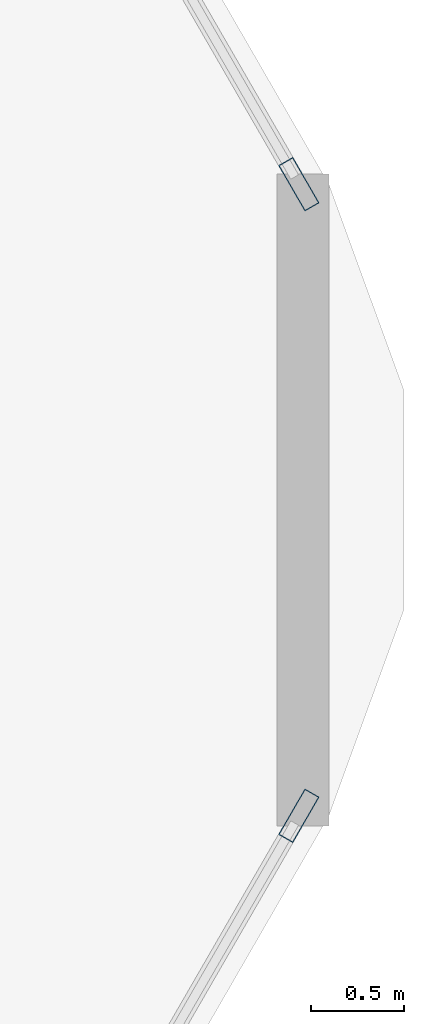
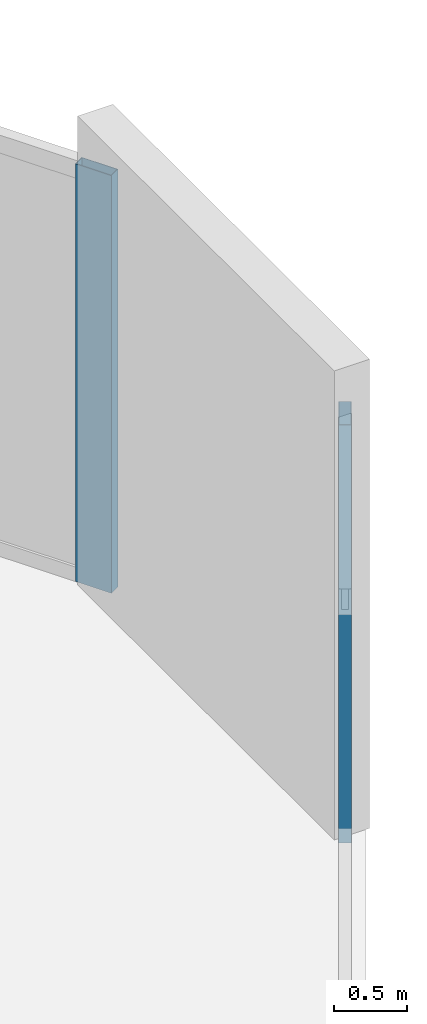
# One storey, part 20 of 25: 2 members, 2 elements without a shape of their own.
"""IFC4 building model written with IfcOpenShell, lengths in metres."""

import ifcopenshell
import ifcopenshell.guid

model = None  # the IFC model being written
_history = None  # IfcOwnerHistory: only IFC2X3 demands one
_inside = {}  # id of a spatial element -> (the spatial element, [elements in it])
_under = {}  # id of a project, library or spatial element -> (it, [spatial elements below it])
_declared = {}  # id of a project -> (the project, [libraries it declares])
_typed = {}  # id of a type object -> (the type object, [elements of that type])
_made_of = {}  # id of a material, layer set ... -> (it, [elements and type objects made of it])


def new_model(schema):
    """Start an empty IFC model of exactly this schema.

    Asked for "IFC4X3", IfcOpenShell would pick the latest addendum, in which some entities
    have other attributes; the version numbers below select the first issue.
    IFC2X3 requires an IfcOwnerHistory on every rooted entity: one is made here for all.
    """
    global model, _history
    if schema == "IFC4X3":
        model = ifcopenshell.file(schema_version=(4, 3, 0, 0))
    else:
        model = ifcopenshell.file(schema=schema)
    _inside.clear()
    _under.clear()
    _declared.clear()
    _typed.clear()
    _made_of.clear()
    _history = None
    if model.schema == "IFC2X3":
        org = make("IfcOrganization", Name="unknown")
        user = make(
            "IfcPersonAndOrganization",
            ThePerson=make("IfcPerson", FamilyName="unknown"),
            TheOrganization=org,
        )
        app = make(
            "IfcApplication",
            ApplicationDeveloper=org,
            Version="unknown",
            ApplicationFullName="unknown",
            ApplicationIdentifier="unknown",
        )
        _history = make(
            "IfcOwnerHistory",
            OwningUser=user,
            OwningApplication=app,
            ChangeAction="ADDED",
            CreationDate=0,
        )
    return model


def make(cls, **values):
    """One entity of the class cls with the attributes given. An attribute that is None is left unset."""
    return model.create_entity(
        cls, **{name: value for name, value in values.items() if value is not None}
    )


def rooted(cls, **values):
    """An entity with a GlobalId (a new one), such as an element, a storey or a relation."""
    return make(cls, GlobalId=ifcopenshell.guid.new(), OwnerHistory=_history, **values)


def si_unit(unit_type, name, prefix=None):
    """IfcSIUnit, for example si_unit("LENGTHUNIT", "METRE", prefix="MILLI")."""
    return make("IfcSIUnit", UnitType=unit_type, Prefix=prefix, Name=name)


def assignment(units):
    """IfcUnitAssignment: the units of a project."""
    return None if units is None else make("IfcUnitAssignment", Units=units)


def point(xyz):
    """IfcCartesianPoint."""
    return None if xyz is None else make("IfcCartesianPoint", Coordinates=xyz)


def direction(xyz):
    """IfcDirection."""
    return None if xyz is None else make("IfcDirection", DirectionRatios=xyz)


def frame(location, z_axis=None, x_axis=None):
    """IfcAxis2Placement3D, a coordinate frame: its origin and axes. An axis left out is left unset."""
    return make(
        "IfcAxis2Placement3D",
        Location=point(location),
        Axis=direction(z_axis),
        RefDirection=direction(x_axis),
    )


def frame_2d(location, x_axis=None):
    """IfcAxis2Placement2D, a coordinate frame in the plane: its origin and x axis."""
    return make(
        "IfcAxis2Placement2D", Location=point(location), RefDirection=direction(x_axis)
    )


def origin():
    """The frame at (0, 0, 0) with its axes left unset."""
    return frame((0.0, 0.0, 0.0))


def origin_2d():
    """The frame at (0, 0) in the plane with its x axis left unset."""
    return frame_2d((0.0, 0.0))


def place(relative_to, where):
    """IfcLocalPlacement: puts the frame where relative to a parent placement (None: the world)."""
    return make(
        "IfcLocalPlacement", PlacementRelTo=relative_to, RelativePlacement=where
    )


def context(
    kind, dimensions, precision=None, world=None, true_north=None, identifier=None
):
    """IfcGeometricRepresentationContext, for example the 3D "Model" context."""
    return make(
        "IfcGeometricRepresentationContext",
        ContextIdentifier=identifier,
        ContextType=kind,
        CoordinateSpaceDimension=dimensions,
        Precision=precision,
        WorldCoordinateSystem=world,
        TrueNorth=true_north,
    )


def subcontext(parent, identifier, kind, view, scale=None):
    """IfcGeometricRepresentationSubContext, for example "Body" below "Model"."""
    return make(
        "IfcGeometricRepresentationSubContext",
        ContextIdentifier=identifier,
        ContextType=kind,
        ParentContext=parent,
        TargetScale=scale,
        TargetView=view,
    )


def project(units=None, contexts=None):
    """IfcProject with its units and contexts."""
    return rooted(
        "IfcProject",
        Name="project",
        RepresentationContexts=contexts,
        UnitsInContext=assignment(units),
    )


def spatial(cls, under=None, at=None, **own):
    """A site, building, storey or space (cls), placed at a placement, below another one or the project."""
    s = rooted(cls, ObjectPlacement=at, **own)
    if under is not None:
        _under.setdefault(under.id(), (under, []))[1].append(s)
    return s


def profile(cls, at=None, kind="AREA", **sizes):
    """A parametric profile (cls). Its sizes go by their IFC names, for example OverallWidth=200.0."""
    return make(cls, ProfileType=kind, Position=at, **sizes)


def hollow_rectangle(**sizes):
    """IfcRectangleHollowProfileDef."""
    return profile("IfcRectangleHollowProfileDef", **sizes)


def extrude(swept, where, along, depth):
    """IfcExtrudedAreaSolid: the profile swept, set in the frame where, extruded along a direction by depth."""
    return make(
        "IfcExtrudedAreaSolid",
        SweptArea=swept,
        Position=where,
        ExtrudedDirection=direction(along),
        Depth=depth,
    )


def shape(context_of_items, identifier, shape_type, items):
    """IfcShapeRepresentation: the items that make up one representation, for example the "Body"."""
    return make(
        "IfcShapeRepresentation",
        ContextOfItems=context_of_items,
        RepresentationIdentifier=identifier,
        RepresentationType=shape_type,
        Items=items,
    )


def material(Name=None, Category=None):
    """IfcMaterial."""
    return make("IfcMaterial", Name=Name, Category=Category)


def material_profile(
    of_material, cross_section, Name=None, Category=None, Priority=None
):
    """IfcMaterialProfile: a cross section and its material."""
    return make(
        "IfcMaterialProfile",
        Name=Name,
        Material=of_material,
        Profile=cross_section,
        Priority=Priority,
        Category=Category,
    )


def profile_set(profiles, Name=None, composite=None):
    """IfcMaterialProfileSet."""
    return make(
        "IfcMaterialProfileSet",
        Name=Name,
        MaterialProfiles=profiles,
        CompositeProfile=composite,
    )


def made_of(thing, what):
    """Note that an element or type object is made of a material, layer set ...; save() writes the relation."""
    if what is not None:
        _made_of.setdefault(what.id(), (what, []))[1].append(thing)
    return thing


def type_object(cls, material=None, **own):
    """A type object (cls), such as IfcWallType, which elements share."""
    return made_of(rooted(cls, **own), material)


def element(
    cls,
    number,
    at=None,
    inside=None,
    cuts=None,
    type_object=None,
    material=None,
    context=None,
    identifier="Body",
    shape_type=None,
    held_by="IfcProductDefinitionShape",
    body=None,
    shapes=None,
    **own,
):
    """One element of the class cls, such as IfcWall. Its Tag is "e" and its number.

    at: its placement. inside: the storey or other place that contains it. cuts: it is an
    opening in that element (IfcRelVoidsElement). A single representation is given by context,
    identifier, shape_type and body (its items); several are given by shapes. held_by: the class
    of the entity that holds the representations. save() writes the other relations.
    """
    e = rooted(cls, Tag="e%d" % number, ObjectPlacement=at, **own)
    if body is not None:
        shapes = [shape(context, identifier, shape_type, body)]
    if shapes is not None:
        e.Representation = make(held_by, Representations=shapes)
    if inside is not None:
        _inside.setdefault(inside.id(), (inside, []))[1].append(e)
    if cuts is not None:
        rooted(
            "IfcRelVoidsElement", RelatingBuildingElement=cuts, RelatedOpeningElement=e
        )
    if type_object is not None:
        _typed.setdefault(type_object.id(), (type_object, []))[1].append(e)
    return made_of(e, material)


def aggregate(whole, parts):
    """IfcRelAggregates: a whole, such as a stair, and the parts it consists of."""
    return rooted("IfcRelAggregates", RelatingObject=whole, RelatedObjects=parts)


def save(model, path):
    """Write the relations noted so far, then the file.

    IfcRelAggregates (storeys below a building ...), IfcRelContainedInSpatialStructure (elements
    in a storey), IfcRelDefinesByType, IfcRelAssociatesMaterial and IfcRelDeclares: one each for
    every whole, place, type object, material and project.
    """
    for whole, parts in _under.values():
        aggregate(whole, parts)
    for where, things in _inside.values():
        rooted(
            "IfcRelContainedInSpatialStructure",
            RelatedElements=things,
            RelatingStructure=where,
        )
    for kind, things in _typed.values():
        rooted("IfcRelDefinesByType", RelatedObjects=things, RelatingType=kind)
    for what, things in _made_of.values():
        rooted("IfcRelAssociatesMaterial", RelatedObjects=things, RelatingMaterial=what)
    for by, libraries in _declared.values():
        rooted("IfcRelDeclares", RelatingContext=by, RelatedDefinitions=libraries)
    model.write(path)


model = new_model("IFC4")

# Units and contexts
model_context = context("Model", 3, precision=1e-05, world=origin(), true_north=direction((0.0, 1.0)))
body_context = subcontext(model_context, "Body", "Model", "MODEL_VIEW")
ifc_project = project(units=[si_unit("LENGTHUNIT", "METRE"), si_unit("AREAUNIT", "SQUARE_METRE"), si_unit("VOLUMEUNIT", "CUBIC_METRE"), si_unit("PLANEANGLEUNIT", "RADIAN"), si_unit("MASSUNIT", "GRAM", prefix="KILO")], contexts=[model_context])

# Site, building, storey
site_placement = place(None, origin())
site = spatial("IfcSite", under=ifc_project, at=site_placement, CompositionType="ELEMENT")
building_placement = place(site_placement, origin())
building = spatial("IfcBuilding", under=site, at=building_placement, Name="Zuhravey Tower", CompositionType="ELEMENT")
storey_placement = place(building_placement, frame((0.0, 0.0, 62.39990234375)))
storey = spatial("IfcBuildingStorey", under=building, at=storey_placement, Name="L15", CompositionType="ELEMENT", Elevation=62.39990234375)

# Curtain wall, member
ifc_material_1 = material(Name="Thermally broken anodised aluminium", Category="aluminium")
curtain_wall_type = type_object("IfcCurtainWallType", Name="School Low-E Unitised Curtain Wall CW1", PredefinedType="NOTDEFINED", material=ifc_material_1)
curtain_wall_1_placement = place(storey_placement, origin())
curtain_wall_1 = element("IfcCurtainWall", 1, at=curtain_wall_1_placement, inside=storey, type_object=curtain_wall_type, Name="L15 CW1 CW-L15-F6-1", PredefinedType="NOTDEFINED")
ifc_material_2 = material(Name="Anodised aluminium", Category="aluminium")
ifc_material_profile = material_profile(ifc_material_2, hollow_rectangle(XDim=0.090087890625, YDim=0.284912109375, WallThickness=0.0048828125, at=origin_2d()), Name="ALU-RHS-90x285x5")
ifc_profile_set = profile_set([ifc_material_profile], Name="Anodised aluminium")
member_type = type_object("IfcMemberType", Name="Curtain-Wall Mullion 90x180", PredefinedType="MULLION", material=ifc_profile_set)
member_1_placement = place(storey_placement, frame((68.4560546875, 30.298583984375, 0.0), z_axis=(0.0, 0.0, 1.0), x_axis=(0.86602552265, -0.499999794119, 0.0)))
member_1 = element("IfcMember", 2, at=member_1_placement, type_object=member_type, Name="CW1 mullion 1", PredefinedType="MULLION", context=body_context, shape_type="SweptSolid", body=[
    extrude(hollow_rectangle(XDim=0.090087890625, YDim=0.284912109375, WallThickness=0.0048828125, at=origin_2d()), origin(), (0.0, 0.0, 1.0), 3.4921875),
])
aggregate(curtain_wall_1, [member_1])

curtain_wall_2_placement = place(storey_placement, origin())
curtain_wall_2 = element("IfcCurtainWall", 3, at=curtain_wall_2_placement, inside=storey, type_object=curtain_wall_type, Name="L15 CW1 CW-L15-F1-2", PredefinedType="NOTDEFINED")
member_2_placement = place(storey_placement, frame((68.4560546875, 33.701416015625, 0.0), z_axis=(0.0, 0.0, 1.0), x_axis=(0.866023249351, 0.50000373157, 0.0)))
member_2 = element("IfcMember", 4, at=member_2_placement, type_object=member_type, Name="CW1 mullion 2", PredefinedType="MULLION", context=body_context, shape_type="SweptSolid", body=[
    extrude(hollow_rectangle(XDim=0.090087890625, YDim=0.284912109375, WallThickness=0.0048828125, at=origin_2d()), origin(), (0.0, 0.0, 1.0), 3.4921875),
])
aggregate(curtain_wall_2, [member_2])

save(model, "model.ifc")
